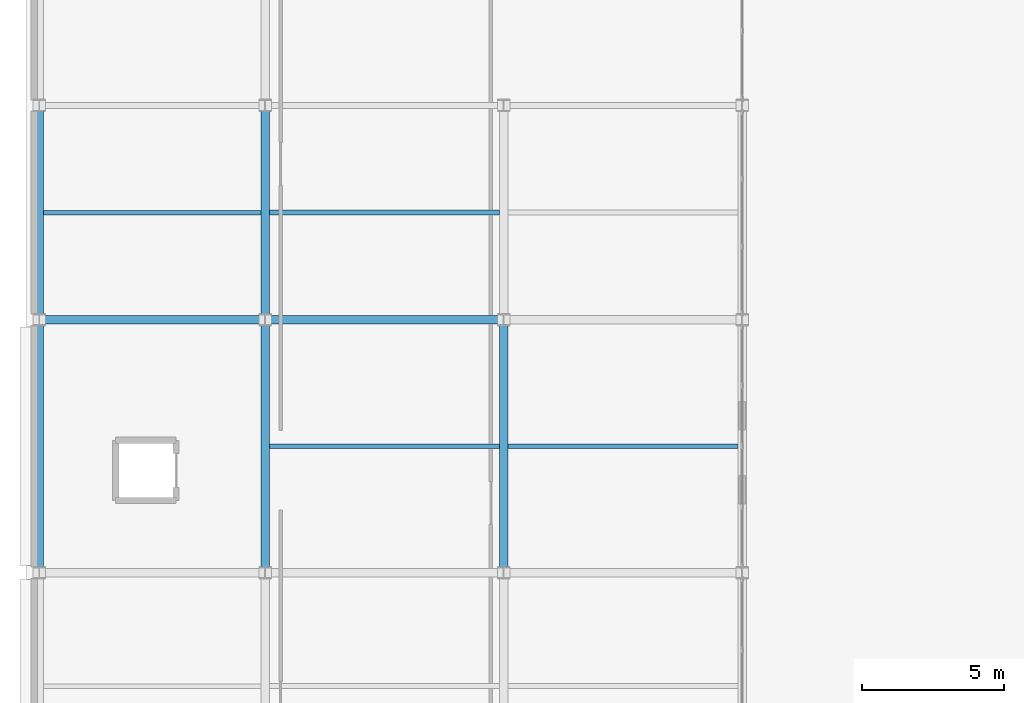
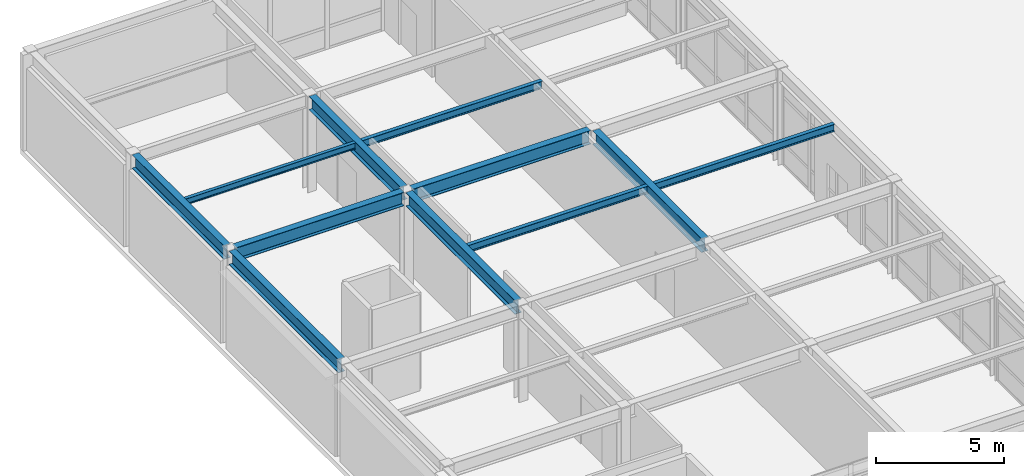
# One storey, part 9 of 61: 11 beams.
"""IFC4 building model written with IfcOpenShell, lengths in metres."""

from ifc_helpers import new_model, si_unit, direction, frame, origin, origin_2d, place, context, subcontext, project, spatial, i_section, extrude, material, material_profile, profile_set, type_object, element, save


model = new_model("IFC4")

# Units and contexts
model_context = context("Model", 3, precision=1e-05, world=origin(), true_north=direction((0.0, 1.0)))
body_context = subcontext(model_context, "Body", "Model", "MODEL_VIEW")
ifc_project = project(units=[si_unit("LENGTHUNIT", "METRE"), si_unit("AREAUNIT", "SQUARE_METRE"), si_unit("VOLUMEUNIT", "CUBIC_METRE"), si_unit("PLANEANGLEUNIT", "RADIAN"), si_unit("MASSUNIT", "GRAM", prefix="KILO")], contexts=[model_context])

# Site, building, storey
site_placement = place(None, origin())
site = spatial("IfcSite", under=ifc_project, at=site_placement, CompositionType="ELEMENT")
building_placement = place(site_placement, origin())
building = spatial("IfcBuilding", under=site, at=building_placement, Name="Kazehara Bluff Congress Hotel", CompositionType="ELEMENT")
storey_placement = place(building_placement, frame((0.0, 0.0, 19.800048828125)))
storey = spatial("IfcBuildingStorey", under=building, at=storey_placement, Name="L04", CompositionType="ELEMENT", Elevation=19.800048828125)

# Beams
ifc_material_1 = material(Name="Steel SN490B", Category="steel")
ifc_material_profile_1 = material_profile(ifc_material_1, i_section(OverallWidth=0.300048828125, OverallDepth=0.64990234375, WebThickness=0.011962890625, FlangeThickness=0.02001953125, FilletRadius=0.012939453125, at=origin_2d()))
ifc_profile_set_1 = profile_set([ifc_material_profile_1], Name="Steel SN490B")
beam_type_1 = type_object("IfcBeamType", Name="TP-G-03", PredefinedType="BEAM", material=ifc_profile_set_1)
beam_1_placement = place(storey_placement, frame((59.699951171875, 32.199951171875, 4.2548828125), z_axis=(0.0, 1.0, 0.0), x_axis=(-1.0, 0.0, 0.0)))
element("IfcBeam", 1, at=beam_1_placement, inside=storey, type_object=beam_type_1, Name="L04 girder G-03 2", PredefinedType="BEAM", context=body_context, shape_type="SweptSolid", body=[
    extrude(i_section(OverallWidth=0.300048828125, OverallDepth=0.64990234375, WebThickness=0.011962890625, FlangeThickness=0.02001953125, FilletRadius=0.012939453125, at=origin_2d()), origin(), (0.0, 0.0, 1.0), 8.5),
])
beam_2_placement = place(storey_placement, frame((59.699951171875, 41.10009765625, 4.2548828125), z_axis=(0.0, 1.0, 0.0), x_axis=(-1.0, 0.0, 0.0)))
element("IfcBeam", 2, at=beam_2_placement, inside=storey, type_object=beam_type_1, Name="L04 girder G-03 3", PredefinedType="BEAM", context=body_context, shape_type="SweptSolid", body=[
    extrude(i_section(OverallWidth=0.300048828125, OverallDepth=0.64990234375, WebThickness=0.011962890625, FlangeThickness=0.02001953125, FilletRadius=0.012939453125, at=origin_2d()), origin(), (0.0, 0.0, 1.0), 7.14990234375),
])
beam_3_placement = place(storey_placement, frame((67.64990234375, 32.199951171875, 4.2548828125), z_axis=(0.0, 1.0, 0.0), x_axis=(-1.0, 0.0, 0.0)))
element("IfcBeam", 3, at=beam_3_placement, inside=storey, type_object=beam_type_1, Name="L04 girder G-03 6", PredefinedType="BEAM", context=body_context, shape_type="SweptSolid", body=[
    extrude(i_section(OverallWidth=0.300048828125, OverallDepth=0.64990234375, WebThickness=0.011962890625, FlangeThickness=0.02001953125, FilletRadius=0.012939453125, at=origin_2d()), origin(), (0.0, 0.0, 1.0), 8.5),
])
beam_4_placement = place(storey_placement, frame((67.64990234375, 41.10009765625, 4.2548828125), z_axis=(0.0, 1.0, 0.0), x_axis=(-1.0, 0.0, 0.0)))
element("IfcBeam", 4, at=beam_4_placement, inside=storey, type_object=beam_type_1, Name="L04 girder G-03 7", PredefinedType="BEAM", context=body_context, shape_type="SweptSolid", body=[
    extrude(i_section(OverallWidth=0.300048828125, OverallDepth=0.64990234375, WebThickness=0.011962890625, FlangeThickness=0.02001953125, FilletRadius=0.012939453125, at=origin_2d()), origin(), (0.0, 0.0, 1.0), 7.14990234375),
])
beam_5_placement = place(storey_placement, frame((76.050048828125, 32.199951171875, 4.2548828125), z_axis=(0.0, 1.0, 0.0), x_axis=(-1.0, 0.0, 0.0)))
element("IfcBeam", 5, at=beam_5_placement, inside=storey, type_object=beam_type_1, Name="L04 girder G-03 11", PredefinedType="BEAM", context=body_context, shape_type="SweptSolid", body=[
    extrude(i_section(OverallWidth=0.300048828125, OverallDepth=0.64990234375, WebThickness=0.011962890625, FlangeThickness=0.02001953125, FilletRadius=0.012939453125, at=origin_2d()), origin(), (0.0, 0.0, 1.0), 8.5),
])
beam_6_placement = place(storey_placement, frame((59.89990234375, 40.89990234375, 4.2548828125), z_axis=(1.0, 0.0, 0.0), x_axis=(0.0, 1.0, 0.0)))
element("IfcBeam", 6, at=beam_6_placement, inside=storey, type_object=beam_type_1, Name="L04 girder G-03 24", PredefinedType="BEAM", context=body_context, shape_type="SweptSolid", body=[
    extrude(i_section(OverallWidth=0.300048828125, OverallDepth=0.64990234375, WebThickness=0.011962890625, FlangeThickness=0.02001953125, FilletRadius=0.012939453125, at=origin_2d()), origin(), (0.0, 0.0, 1.0), 7.550048828125),
])
beam_7_placement = place(storey_placement, frame((67.85009765625, 40.89990234375, 4.2548828125), z_axis=(1.0, 0.0, 0.0), x_axis=(0.0, 1.0, 0.0)))
element("IfcBeam", 7, at=beam_7_placement, inside=storey, type_object=beam_type_1, Name="L04 girder G-03 25", PredefinedType="BEAM", context=body_context, shape_type="SweptSolid", body=[
    extrude(i_section(OverallWidth=0.300048828125, OverallDepth=0.64990234375, WebThickness=0.011962890625, FlangeThickness=0.02001953125, FilletRadius=0.012939453125, at=origin_2d()), origin(), (0.0, 0.0, 1.0), 8.0),
])
ifc_material_2 = material(Name="Steel SN400B", Category="steel")
ifc_material_profile_2 = material_profile(ifc_material_2, i_section(OverallWidth=0.14990234375, OverallDepth=0.300048828125, WebThickness=0.006591796875, FlangeThickness=0.009033203125, FilletRadius=0.012939453125, at=origin_2d()))
ifc_profile_set_2 = profile_set([ifc_material_profile_2], Name="Steel SN400B")
beam_type_2 = type_object("IfcBeamType", Name="TP-J-01", PredefinedType="JOIST", material=ifc_profile_set_2)
beam_8_placement = place(storey_placement, frame((59.85009765625, 44.675048828125, 4.429931640625), z_axis=(1.0, 0.0, 0.0), x_axis=(0.0, 1.0, 0.0)))
element("IfcBeam", 8, at=beam_8_placement, inside=storey, type_object=beam_type_2, Name="L04 secondary joist J-01 2", PredefinedType="JOIST", context=body_context, shape_type="SweptSolid", body=[
    extrude(i_section(OverallWidth=0.14990234375, OverallDepth=0.300048828125, WebThickness=0.006591796875, FlangeThickness=0.009033203125, FilletRadius=0.012939453125, at=origin_2d()), origin(), (0.0, 0.0, 1.0), 7.64990234375),
])
ifc_material_3 = material(Name="Steel SN400B", Category="steel")
ifc_material_profile_3 = material_profile(ifc_material_3, i_section(OverallWidth=0.175048828125, OverallDepth=0.35009765625, WebThickness=0.007080078125, FlangeThickness=0.010986328125, FilletRadius=0.012939453125, at=origin_2d()))
ifc_profile_set_3 = profile_set([ifc_material_profile_3], Name="Steel SN400B")
beam_type_3 = type_object("IfcBeamType", Name="TP-J-02", PredefinedType="JOIST", material=ifc_profile_set_3)
for number, where, z_axis, x_axis, name in (
    (9, (67.800048828125, 36.449951171875, 4.405029296875), (1.0, 0.0, 0.0), (0.0, 1.0, 0.0), "L04 secondary joist J-02 5"),
    (10, (67.800048828125, 44.675048828125, 4.405029296875), (1.0, 0.0, 0.0), (0.0, 1.0, 0.0), "L04 secondary joist J-02 6"),
):
    element("IfcBeam", number, at=place(storey_placement, frame(where, z_axis=z_axis, x_axis=x_axis)), inside=storey, type_object=beam_type_3, Name=name, PredefinedType="JOIST", context=body_context, shape_type="SweptSolid", body=[
        extrude(i_section(OverallWidth=0.175048828125, OverallDepth=0.35009765625, WebThickness=0.007080078125, FlangeThickness=0.010986328125, FilletRadius=0.012939453125, at=origin_2d()), origin(), (0.0, 0.0, 1.0), 8.099853515625),
    ])
beam_9_placement = place(storey_placement, frame((76.199951171875, 36.449951171875, 4.405029296875), z_axis=(1.0, 0.0, 0.0), x_axis=(0.0, 1.0, 0.0)))
element("IfcBeam", 11, at=beam_9_placement, inside=storey, type_object=beam_type_3, Name="L04 secondary joist J-02 9", PredefinedType="JOIST", context=body_context, shape_type="SweptSolid", body=[
    extrude(i_section(OverallWidth=0.175048828125, OverallDepth=0.35009765625, WebThickness=0.007080078125, FlangeThickness=0.010986328125, FilletRadius=0.012939453125, at=origin_2d()), origin(), (0.0, 0.0, 1.0), 8.10009765625),
])

save(model, "model.ifc")
